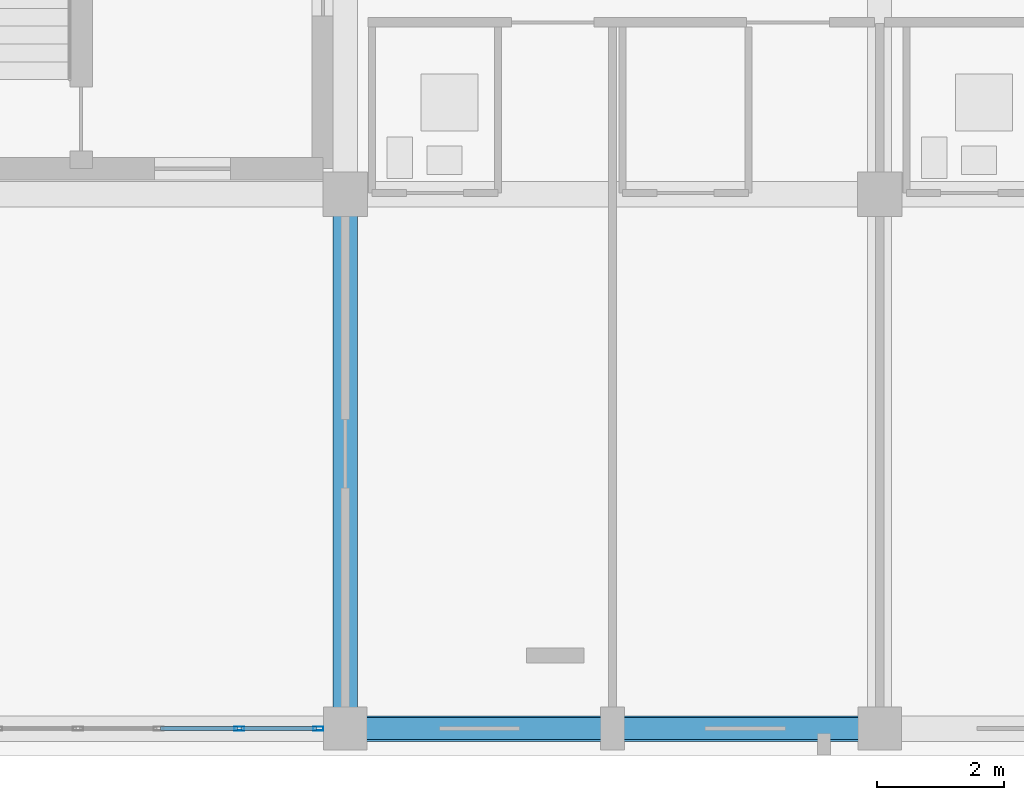
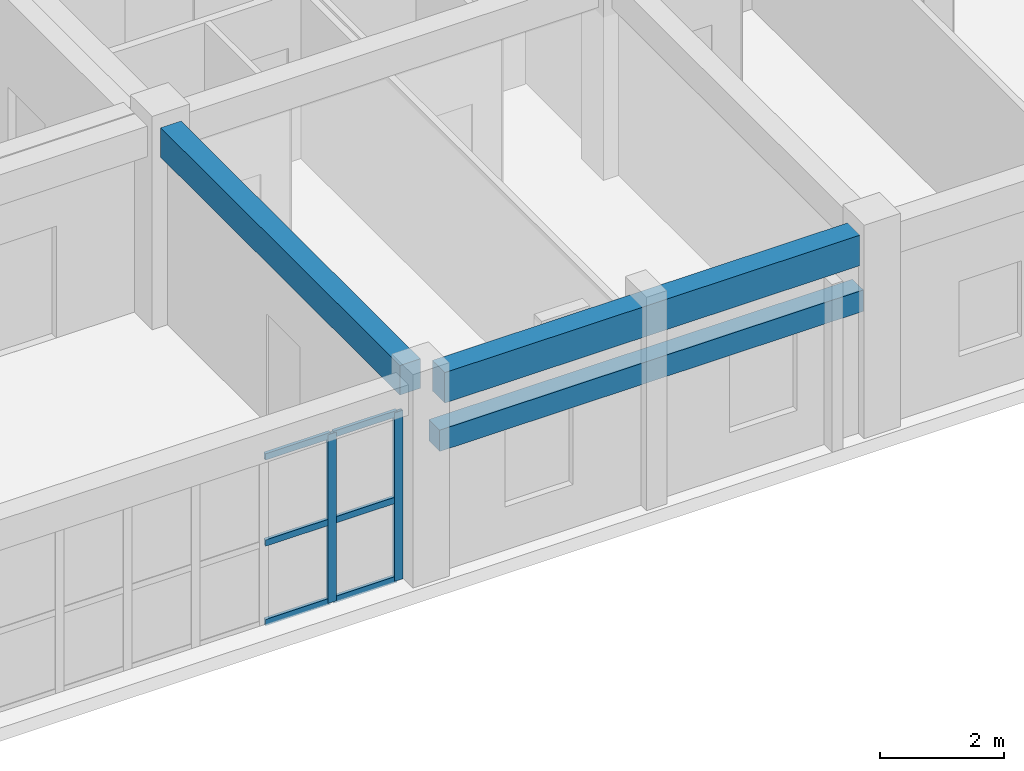
# One storey, part 14 of 140: 8 members, 3 beams, 1 element without a shape of its own.
"""IFC4 building model written with IfcOpenShell, lengths in metres."""

from ifc_helpers import new_model, si_unit, direction, frame, origin, origin_2d, place, context, subcontext, project, spatial, rectangle, hollow_rectangle, extrude, material, layer, layer_set, material_profile, profile_set, type_object, element, aggregate, save


model = new_model("IFC4")

# Units and contexts
model_context = context("Model", 3, precision=1e-05, world=origin(), true_north=direction((0.0, 1.0)))
body_context = subcontext(model_context, "Body", "Model", "MODEL_VIEW")
ifc_project = project(units=[si_unit("LENGTHUNIT", "METRE"), si_unit("AREAUNIT", "SQUARE_METRE"), si_unit("VOLUMEUNIT", "CUBIC_METRE"), si_unit("PLANEANGLEUNIT", "RADIAN"), si_unit("MASSUNIT", "GRAM", prefix="KILO")], contexts=[model_context])

# Site, building, storey
site_placement = place(None, origin())
site = spatial("IfcSite", under=ifc_project, at=site_placement, CompositionType="ELEMENT")
building_placement = place(site_placement, origin())
building = spatial("IfcBuilding", under=site, at=building_placement, Name="Trelvath General Hospital", CompositionType="ELEMENT")
storey_placement = place(building_placement, frame((0.0, 0.0, 16.199951171875)))
storey = spatial("IfcBuildingStorey", under=building, at=storey_placement, Name="L04", CompositionType="ELEMENT", Elevation=16.199951171875)

# Beams
ifc_material_1 = material(Name="Concrete C35/45", Category="concrete")
ifc_material_profile_1 = material_profile(ifc_material_1, rectangle(XDim=0.3798828125, YDim=0.580078125, at=origin_2d()), Name="RCB380x580")
ifc_profile_set_1 = profile_set([ifc_material_profile_1], Name="Concrete C35/45")
beam_type_1 = type_object("IfcBeamType", Name="Beam RC380x580", PredefinedType="BEAM", material=ifc_profile_set_1)
beam_1_placement = place(storey_placement, frame((50.39990234375, 0.3349609375, 3.630126953125), z_axis=(0.0, 1.0, 0.0), x_axis=(-1.0, 0.0, 0.0)))
element("IfcBeam", 1, at=beam_1_placement, inside=storey, type_object=beam_type_1, Name="Grid Beam BY-406A", PredefinedType="BEAM", context=body_context, shape_type="SweptSolid", body=[
    extrude(rectangle(XDim=0.3798828125, YDim=0.580078125, at=origin_2d()), origin(), (0.0, 0.0, 1.0), 7.719970703125),
])
ifc_material_2 = material(Name="Concrete C35/45", Category="concrete")
ifc_material_profile_2 = material_profile(ifc_material_2, rectangle(XDim=0.39990234375, YDim=0.60009765625, at=origin_2d()), Name="RCB400x600")
ifc_profile_set_2 = profile_set([ifc_material_profile_2], Name="Concrete C35/45")
beam_type_2 = type_object("IfcBeamType", Name="Beam RC400x600", PredefinedType="BEAM", material=ifc_profile_set_2)
beam_2_placement = place(storey_placement, frame((50.735107421875, 0.0, 3.6201171875), z_axis=(1.0, 0.0, 0.0), x_axis=(0.0, 1.0, 0.0)))
element("IfcBeam", 2, at=beam_2_placement, inside=storey, type_object=beam_type_2, Name="Grid Beam BX-406A", PredefinedType="BEAM", context=body_context, shape_type="SweptSolid", body=[
    extrude(rectangle(XDim=0.39990234375, YDim=0.60009765625, at=origin_2d()), origin(), (0.0, 0.0, 1.0), 7.72998046875),
])

# Curtain wall, members
ifc_material_3 = material(Name="Anodised aluminium and low-E glass", Category="aluminium")
ifc_layer = layer(ifc_material_3, 0.14990234375)
ifc_layer_set = layer_set([ifc_layer], Name="Anodised aluminium and low-E glass")
curtain_wall_type = type_object("IfcCurtainWallType", Name="CW Facade 761 332 15", PredefinedType="USERDEFINED", material=ifc_layer_set)
curtain_wall_placement = place(storey_placement, origin())
curtain_wall = element("IfcCurtainWall", 3, at=curtain_wall_placement, inside=storey, type_object=curtain_wall_type, Name="Facade Curtain Wall CW-062", ObjectType="Unitised Glazed Curtain Wall", PredefinedType="USERDEFINED")
ifc_material_4 = material(Name="Anodised aluminium", Category="aluminium")
ifc_material_profile_3 = material_profile(ifc_material_4, hollow_rectangle(XDim=0.06005859375, YDim=0.159912109375, WallThickness=0.00390625, at=origin_2d()), Name="RHS60x160x4")
ifc_profile_set_3 = profile_set([ifc_material_profile_3], Name="Anodised aluminium")
member_type_1 = type_object("IfcMemberType", Name="CurtainMullion 60x160", PredefinedType="MULLION", material=ifc_profile_set_3)
member_1_placement = place(storey_placement, frame((49.97509765625, 0.0, 0.0), z_axis=(0.0, 0.0, 1.0), x_axis=(0.0, -1.0, 0.0)))
member_1 = element("IfcMember", 4, at=member_1_placement, type_object=member_type_1, Name="CW-062 mullion 1", PredefinedType="MULLION", context=body_context, shape_type="SweptSolid", body=[
    extrude(hollow_rectangle(XDim=0.06005859375, YDim=0.159912109375, WallThickness=0.00390625, at=origin_2d()), origin(), (0.0, 0.0, 1.0), 3.320068359375),
])
member_2_placement = place(storey_placement, frame((48.736572265625, 0.0, 0.0), z_axis=(0.0, 0.0, 1.0), x_axis=(0.0, -1.0, 0.0)))
member_2 = element("IfcMember", 5, at=member_2_placement, type_object=member_type_1, Name="CW-062 mullion 2", PredefinedType="MULLION", context=body_context, shape_type="SweptSolid", body=[
    extrude(hollow_rectangle(XDim=0.06005859375, YDim=0.159912109375, WallThickness=0.00390625, at=origin_2d()), origin(), (0.0, 0.0, 1.0), 3.320068359375),
])
ifc_material_5 = material(Name="Anodised aluminium", Category="aluminium")
ifc_material_profile_4 = material_profile(ifc_material_5, hollow_rectangle(XDim=0.06005859375, YDim=0.125, WallThickness=0.00390625, at=origin_2d()), Name="RHS60x125x4")
ifc_profile_set_4 = profile_set([ifc_material_profile_4], Name="Anodised aluminium")
member_type_2 = type_object("IfcMemberType", Name="CurtainTransom 60x125", PredefinedType="USERDEFINED", material=ifc_profile_set_4)
member_3_placement = place(storey_placement, frame((49.945068359375, 0.0, 0.030029296875), z_axis=(-1.0, 0.0, 0.0), x_axis=(0.0, -1.0, 0.0)))
member_3 = element("IfcMember", 6, at=member_3_placement, type_object=member_type_2, Name="CW-062 transom 1.1", ObjectType="TRANSOM", PredefinedType="USERDEFINED", context=body_context, shape_type="SweptSolid", body=[
    extrude(hollow_rectangle(XDim=0.06005859375, YDim=0.125, WallThickness=0.00390625, at=origin_2d()), origin(), (0.0, 0.0, 1.0), 1.178466796875),
])
member_4_placement = place(storey_placement, frame((49.945068359375, 0.0, 1.593994140625), z_axis=(-1.0, 0.0, 0.0), x_axis=(0.0, -1.0, 0.0)))
member_4 = element("IfcMember", 7, at=member_4_placement, type_object=member_type_2, Name="CW-062 transom 1.2", ObjectType="TRANSOM", PredefinedType="USERDEFINED", context=body_context, shape_type="SweptSolid", body=[
    extrude(hollow_rectangle(XDim=0.06005859375, YDim=0.125, WallThickness=0.00390625, at=origin_2d()), origin(), (0.0, 0.0, 1.0), 1.178466796875),
])
member_5_placement = place(storey_placement, frame((49.945068359375, 0.0, 3.2900390625), z_axis=(-1.0, 0.0, 0.0), x_axis=(0.0, -1.0, 0.0)))
member_5 = element("IfcMember", 8, at=member_5_placement, type_object=member_type_2, Name="CW-062 transom 1.3", ObjectType="TRANSOM", PredefinedType="USERDEFINED", context=body_context, shape_type="SweptSolid", body=[
    extrude(hollow_rectangle(XDim=0.06005859375, YDim=0.125, WallThickness=0.00390625, at=origin_2d()), origin(), (0.0, 0.0, 1.0), 1.178466796875),
])
member_6_placement = place(storey_placement, frame((48.706787109375, 0.0, 0.030029296875), z_axis=(-1.0, 0.0, 0.0), x_axis=(0.0, -1.0, 0.0)))
member_6 = element("IfcMember", 9, at=member_6_placement, type_object=member_type_2, Name="CW-062 transom 2.1", ObjectType="TRANSOM", PredefinedType="USERDEFINED", context=body_context, shape_type="SweptSolid", body=[
    extrude(hollow_rectangle(XDim=0.06005859375, YDim=0.125, WallThickness=0.00390625, at=origin_2d()), origin(), (0.0, 0.0, 1.0), 1.20849609375),
])
member_7_placement = place(storey_placement, frame((48.706787109375, 0.0, 1.593994140625), z_axis=(-1.0, 0.0, 0.0), x_axis=(0.0, -1.0, 0.0)))
member_7 = element("IfcMember", 10, at=member_7_placement, type_object=member_type_2, Name="CW-062 transom 2.2", ObjectType="TRANSOM", PredefinedType="USERDEFINED", context=body_context, shape_type="SweptSolid", body=[
    extrude(hollow_rectangle(XDim=0.06005859375, YDim=0.125, WallThickness=0.00390625, at=origin_2d()), origin(), (0.0, 0.0, 1.0), 1.20849609375),
])
member_8_placement = place(storey_placement, frame((48.706787109375, 0.0, 3.2900390625), z_axis=(-1.0, 0.0, 0.0), x_axis=(0.0, -1.0, 0.0)))
member_8 = element("IfcMember", 11, at=member_8_placement, type_object=member_type_2, Name="CW-062 transom 2.3", ObjectType="TRANSOM", PredefinedType="USERDEFINED", context=body_context, shape_type="SweptSolid", body=[
    extrude(hollow_rectangle(XDim=0.06005859375, YDim=0.125, WallThickness=0.00390625, at=origin_2d()), origin(), (0.0, 0.0, 1.0), 1.20849609375),
])
aggregate(curtain_wall, [member_1, member_2, member_3, member_4, member_5, member_6, member_7, member_8])

# Beam
ifc_material_6 = material(Name="Precast concrete C40/50", Category="concrete")
ifc_material_profile_5 = material_profile(ifc_material_6, rectangle(XDim=0.35009765625, YDim=0.419921875, at=origin_2d()), Name="PCL350x420")
ifc_profile_set_5 = profile_set([ifc_material_profile_5], Name="Precast concrete C40/50")
beam_type_3 = type_object("IfcBeamType", Name="Lintel PC350x420", PredefinedType="LINTEL", material=ifc_profile_set_5)
beam_3_placement = place(storey_placement, frame((58.544921875, 0.0, 2.590087890625), z_axis=(-1.0, 0.0, 0.0), x_axis=(0.0, -1.0, 0.0)))
element("IfcBeam", 12, at=beam_3_placement, inside=storey, type_object=beam_type_3, Name="Precast Window Brow Lintel L04-440", PredefinedType="LINTEL", context=body_context, shape_type="SweptSolid", body=[
    extrude(rectangle(XDim=0.35009765625, YDim=0.419921875, at=origin_2d()), origin(), (0.0, 0.0, 1.0), 7.889892578125),
])

save(model, "model.ifc")
